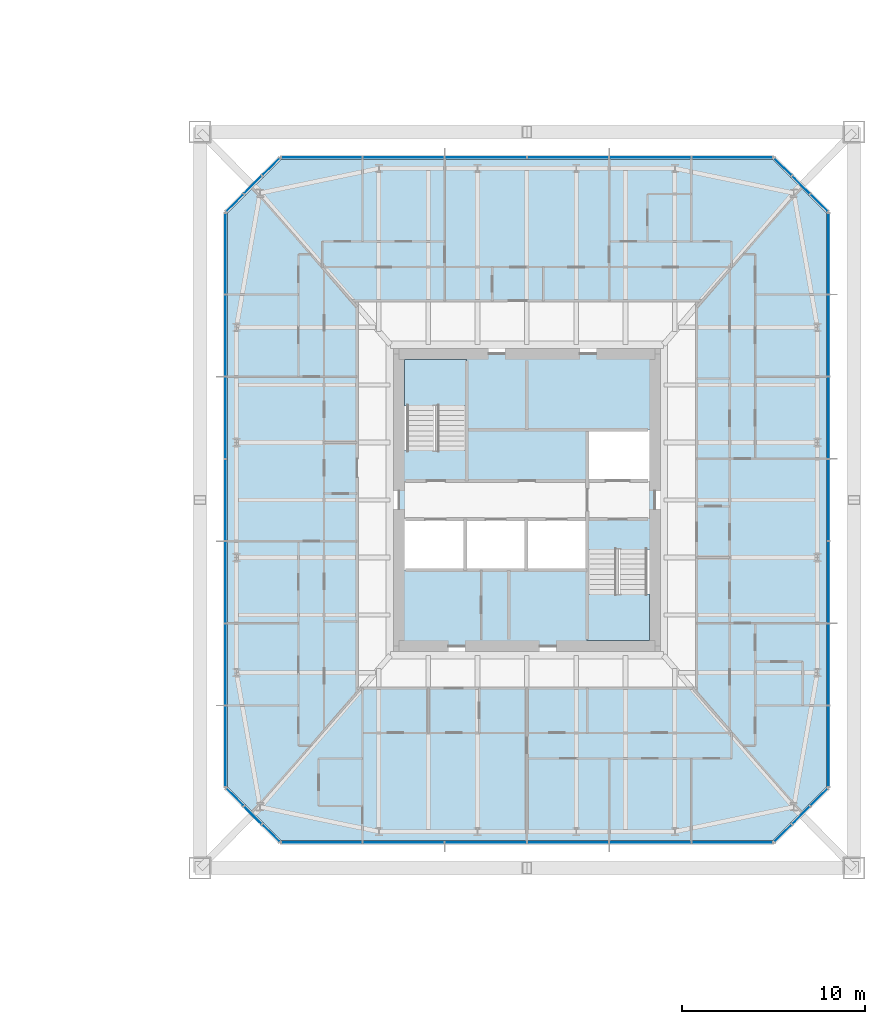
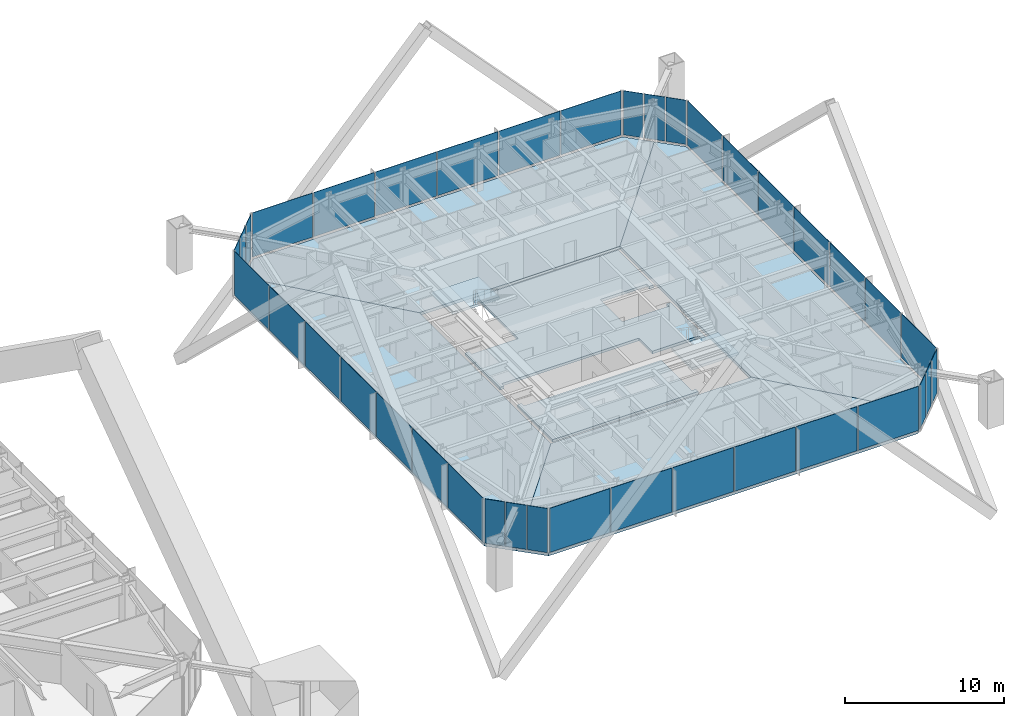
# One storey, part 15 of 28: 38 plates, 8 slabs, 10 elements without a shape of their own.
"""IFC4 building model written with IfcOpenShell, lengths in metres."""

from ifc_helpers import new_model, si_unit, direction, frame, origin, origin_2d, place, context, subcontext, project, spatial, polyline, rectangle, outline, extrude, material, layer, layer_set, constituent, constituent_set, type_object, element, aggregate, save


model = new_model("IFC4")

# Units and contexts
model_context = context("Model", 3, precision=1e-05, world=origin(), true_north=direction((0.0, 1.0)))
body_context = subcontext(model_context, "Body", "Model", "MODEL_VIEW")
ifc_project = project(units=[si_unit("LENGTHUNIT", "METRE"), si_unit("AREAUNIT", "SQUARE_METRE"), si_unit("VOLUMEUNIT", "CUBIC_METRE"), si_unit("PLANEANGLEUNIT", "RADIAN"), si_unit("MASSUNIT", "GRAM", prefix="KILO")], contexts=[model_context])

# Site, building, storey
site_placement = place(None, origin())
site = spatial("IfcSite", under=ifc_project, at=site_placement, CompositionType="ELEMENT")
building_placement = place(site_placement, origin())
building = spatial("IfcBuilding", under=site, at=building_placement, Name="Iwan Alto Co-Living Towers", CompositionType="ELEMENT")
storey_placement = place(building_placement, frame((0.0, 0.0, 43.0)))
storey = spatial("IfcBuildingStorey", under=building, at=storey_placement, Name="L11", CompositionType="ELEMENT", Elevation=43.0)

# Slabs
ifc_material_1 = material(Name="Concrete f'c 30 MPa", Category="concrete")
ifc_layer_1 = layer(ifc_material_1, 0.199951171875)
ifc_layer_set_1 = layer_set([ifc_layer_1], Name="CORE FLOOR SLAB 200")
slab_type_1 = type_object("IfcSlabType", Name="CORE FLOOR SLAB 200", PredefinedType="FLOOR", material=ifc_layer_set_1)
slab_1_placement = place(storey_placement, frame((0.0, 0.0, -0.199951171875)))
element("IfcSlab", 1, at=slab_1_placement, inside=storey, type_object=slab_type_1, Name="T2 core floor L11", PredefinedType="FLOOR", context=body_context, shape_type="SweptSolid", body=[
    extrude(outline(polyline([(70.0, -3.030029296875), (69.699951171875, -3.030029296875), (69.699951171875, -2.719970703125), (66.300048828125, -2.719970703125), (66.300048828125, -1.050048828125), (62.967041015625, -1.050048828125), (59.633056640625, -1.050048828125), (56.300048828125, -1.050048828125), (56.300048828125, -1.360107421875), (56.0, -1.360107421875), (56.0, 3.030029296875), (56.300048828125, 3.030029296875), (56.300048828125, 2.719970703125), (59.699951171875, 2.719970703125), (59.699951171875, 7.699951171875), (59.389892578125, 7.699951171875), (59.389892578125, 8.0), (70.0, 8.0), (70.0, 3.5400390625), (69.699951171875, 3.5400390625), (69.699951171875, 3.85009765625), (66.300048828125, 3.85009765625), (66.300048828125, 1.050048828125), (69.699951171875, 1.050048828125), (69.699951171875, 1.360107421875), (70.0, 1.360107421875), (70.0, -3.030029296875)])), origin(), (0.0, 0.0, 1.0), 0.199951171875),
])
slab_2_placement = place(storey_placement, frame((0.0, 0.0, -0.199951171875)))
element("IfcSlab", 2, at=slab_2_placement, inside=storey, type_object=slab_type_1, Name="T2 core floor L11", PredefinedType="FLOOR", context=body_context, shape_type="SweptSolid", body=[
    extrude(outline(polyline([(62.967041015625, -3.85009765625), (66.300048828125, -3.85009765625), (66.300048828125, -7.699951171875), (66.610107421875, -7.699951171875), (66.610107421875, -8.0), (56.0, -8.0), (56.0, -3.5400390625), (56.300048828125, -3.5400390625), (56.300048828125, -3.85009765625), (59.633056640625, -3.85009765625), (62.967041015625, -3.85009765625)])), origin(), (0.0, 0.0, 1.0), 0.199951171875),
])

# Curtain wall, plates
ifc_material_2 = material(Name="Bronze aluminium unitised frame", Category="aluminium")
curtain_wall_type_1 = type_object("IfcCurtainWallType", Name="CURTAIN WALL CW-C", PredefinedType="NOTDEFINED", material=ifc_material_2)
curtain_wall_1_placement = place(storey_placement, origin())
curtain_wall_1 = element("IfcCurtainWall", 3, at=curtain_wall_1_placement, inside=storey, type_object=curtain_wall_type_1, Name="T2 curtain wall S L11", PredefinedType="NOTDEFINED")
ifc_material_3 = material(Name="Bronze-tinted insulating glass", Category="glass")
ifc_layer_2 = layer(ifc_material_3, 0.031982421875)
ifc_layer_set_2 = layer_set([ifc_layer_2], Name="CW-C PANEL TINTED IGU 32")
plate_type_1 = type_object("IfcPlateType", Name="CW-C PANEL TINTED IGU 32", PredefinedType="CURTAIN_PANEL", material=ifc_layer_set_2)
plate_1_placement = place(storey_placement, frame((60.75, -18.75, 0.10009765625), z_axis=(0.0, 0.0, 1.0), x_axis=(1.0, 0.0, 0.0)))
plate_1 = element("IfcPlate", 4, at=plate_1_placement, type_object=plate_type_1, Name="CW-C panel 3.1", PredefinedType="CURTAIN_PANEL", context=body_context, shape_type="SweptSolid", body=[
    extrude(rectangle(XDim=4.419921875, YDim=0.031982421875, at=origin_2d()), origin(), (0.0, 0.0, 1.0), 3.39990234375),
])
plate_2_placement = place(storey_placement, frame((65.25, -18.75, 0.10009765625), z_axis=(0.0, 0.0, 1.0), x_axis=(1.0, 0.0, 0.0)))
plate_2 = element("IfcPlate", 5, at=plate_2_placement, type_object=plate_type_1, Name="CW-C panel 4.1", PredefinedType="CURTAIN_PANEL", context=body_context, shape_type="SweptSolid", body=[
    extrude(rectangle(XDim=4.419921875, YDim=0.031982421875, at=origin_2d()), origin(), (0.0, 0.0, 1.0), 3.39990234375),
])

curtain_wall_2_placement = place(storey_placement, origin())
curtain_wall_2 = element("IfcCurtainWall", 6, at=curtain_wall_2_placement, inside=storey, type_object=curtain_wall_type_1, Name="T2 curtain wall E L11", PredefinedType="NOTDEFINED")
plate_3_placement = place(storey_placement, frame((79.5, -4.5, 0.10009765625), z_axis=(0.0, 0.0, 1.0), x_axis=(0.0, 1.0, 0.0)))
plate_3 = element("IfcPlate", 7, at=plate_3_placement, type_object=plate_type_1, Name="CW-C panel 3.1", PredefinedType="CURTAIN_PANEL", context=body_context, shape_type="SweptSolid", body=[
    extrude(rectangle(XDim=4.419921875, YDim=0.031982421875, at=origin_2d()), origin(), (0.0, 0.0, 1.0), 3.39990234375),
])
plate_4_placement = place(storey_placement, frame((79.5, 0.0, 0.10009765625), z_axis=(0.0, 0.0, 1.0), x_axis=(0.0, 1.0, 0.0)))
plate_4 = element("IfcPlate", 8, at=plate_4_placement, type_object=plate_type_1, Name="CW-C panel 4.1", PredefinedType="CURTAIN_PANEL", context=body_context, shape_type="SweptSolid", body=[
    extrude(rectangle(XDim=4.419921875, YDim=0.031982421875, at=origin_2d()), origin(), (0.0, 0.0, 1.0), 3.39990234375),
])
plate_5_placement = place(storey_placement, frame((79.5, 4.5, 0.10009765625), z_axis=(0.0, 0.0, 1.0), x_axis=(0.0, 1.0, 0.0)))
plate_5 = element("IfcPlate", 9, at=plate_5_placement, type_object=plate_type_1, Name="CW-C panel 5.1", PredefinedType="CURTAIN_PANEL", context=body_context, shape_type="SweptSolid", body=[
    extrude(rectangle(XDim=4.419921875, YDim=0.031982421875, at=origin_2d()), origin(), (0.0, 0.0, 1.0), 3.39990234375),
])

curtain_wall_3_placement = place(storey_placement, origin())
curtain_wall_3 = element("IfcCurtainWall", 10, at=curtain_wall_3_placement, inside=storey, type_object=curtain_wall_type_1, Name="T2 curtain wall N L11", PredefinedType="NOTDEFINED")
plate_6_placement = place(storey_placement, frame((65.25, 18.75, 0.10009765625), z_axis=(0.0, 0.0, 1.0), x_axis=(-1.0, 0.0, 0.0)))
plate_6 = element("IfcPlate", 11, at=plate_6_placement, type_object=plate_type_1, Name="CW-C panel 3.1", PredefinedType="CURTAIN_PANEL", context=body_context, shape_type="SweptSolid", body=[
    extrude(rectangle(XDim=4.419921875, YDim=0.031982421875, at=origin_2d()), origin(), (0.0, 0.0, 1.0), 3.39990234375),
])
plate_7_placement = place(storey_placement, frame((60.75, 18.75, 0.10009765625), z_axis=(0.0, 0.0, 1.0), x_axis=(-1.0, 0.0, 0.0)))
plate_7 = element("IfcPlate", 12, at=plate_7_placement, type_object=plate_type_1, Name="CW-C panel 4.1", PredefinedType="CURTAIN_PANEL", context=body_context, shape_type="SweptSolid", body=[
    extrude(rectangle(XDim=4.419921875, YDim=0.031982421875, at=origin_2d()), origin(), (0.0, 0.0, 1.0), 3.39990234375),
])

curtain_wall_4_placement = place(storey_placement, origin())
curtain_wall_4 = element("IfcCurtainWall", 13, at=curtain_wall_4_placement, inside=storey, type_object=curtain_wall_type_1, Name="T2 curtain wall W L11", PredefinedType="NOTDEFINED")
plate_8_placement = place(storey_placement, frame((46.5, 4.5, 0.10009765625), z_axis=(0.0, 0.0, 1.0), x_axis=(0.0, -1.0, 0.0)))
plate_8 = element("IfcPlate", 14, at=plate_8_placement, type_object=plate_type_1, Name="CW-C panel 3.1", PredefinedType="CURTAIN_PANEL", context=body_context, shape_type="SweptSolid", body=[
    extrude(rectangle(XDim=4.419921875, YDim=0.031982421875, at=origin_2d()), origin(), (0.0, 0.0, 1.0), 3.39990234375),
])
plate_9_placement = place(storey_placement, frame((46.5, 0.0, 0.10009765625), z_axis=(0.0, 0.0, 1.0), x_axis=(0.0, -1.0, 0.0)))
plate_9 = element("IfcPlate", 15, at=plate_9_placement, type_object=plate_type_1, Name="CW-C panel 4.1", PredefinedType="CURTAIN_PANEL", context=body_context, shape_type="SweptSolid", body=[
    extrude(rectangle(XDim=4.419921875, YDim=0.031982421875, at=origin_2d()), origin(), (0.0, 0.0, 1.0), 3.39990234375),
])
plate_10_placement = place(storey_placement, frame((46.5, -4.5, 0.10009765625), z_axis=(0.0, 0.0, 1.0), x_axis=(0.0, -1.0, 0.0)))
plate_10 = element("IfcPlate", 16, at=plate_10_placement, type_object=plate_type_1, Name="CW-C panel 5.1", PredefinedType="CURTAIN_PANEL", context=body_context, shape_type="SweptSolid", body=[
    extrude(rectangle(XDim=4.419921875, YDim=0.031982421875, at=origin_2d()), origin(), (0.0, 0.0, 1.0), 3.39990234375),
])

# Plate
ifc_material_4 = material(Name="Insulated bronze aluminium spandrel panel", Category="aluminium")
ifc_layer_3 = layer(ifc_material_4, 0.031982421875)
ifc_layer_set_3 = layer_set([ifc_layer_3], Name="CW-C SPANDREL PANEL 32")
plate_type_2 = type_object("IfcPlateType", Name="CW-C SPANDREL PANEL 32", PredefinedType="CURTAIN_PANEL", material=ifc_layer_set_3)
plate_11_placement = place(storey_placement, frame((51.77001953125, -18.75, 0.10009765625), z_axis=(0.0, 0.0, 1.0), x_axis=(1.0, 0.0, 0.0)))
plate_11 = element("IfcPlate", 17, at=plate_11_placement, type_object=plate_type_2, Name="CW-C spandrel panel 1.1 (braced bay)", PredefinedType="CURTAIN_PANEL", context=body_context, shape_type="SweptSolid", body=[
    extrude(rectangle(XDim=4.3798828125, YDim=0.031982421875, at=origin_2d()), origin(), (0.0, 0.0, 1.0), 3.39990234375),
])

plate_12_placement = place(storey_placement, frame((56.25, -18.75, 0.10009765625), z_axis=(0.0, 0.0, 1.0), x_axis=(1.0, 0.0, 0.0)))
plate_12 = element("IfcPlate", 18, at=plate_12_placement, type_object=plate_type_2, Name="CW-C spandrel panel 2.1 (braced bay)", PredefinedType="CURTAIN_PANEL", context=body_context, shape_type="SweptSolid", body=[
    extrude(rectangle(XDim=4.419921875, YDim=0.031982421875, at=origin_2d()), origin(), (0.0, 0.0, 1.0), 3.39990234375),
])

plate_13_placement = place(storey_placement, frame((69.75, -18.75, 0.10009765625), z_axis=(0.0, 0.0, 1.0), x_axis=(1.0, 0.0, 0.0)))
plate_13 = element("IfcPlate", 19, at=plate_13_placement, type_object=plate_type_2, Name="CW-C spandrel panel 5.1 (braced bay)", PredefinedType="CURTAIN_PANEL", context=body_context, shape_type="SweptSolid", body=[
    extrude(rectangle(XDim=4.419921875, YDim=0.031982421875, at=origin_2d()), origin(), (0.0, 0.0, 1.0), 3.39990234375),
])

plate_14_placement = place(storey_placement, frame((74.22998046875, -18.75, 0.10009765625), z_axis=(0.0, 0.0, 1.0), x_axis=(1.0, 0.0, 0.0)))
plate_14 = element("IfcPlate", 20, at=plate_14_placement, type_object=plate_type_2, Name="CW-C spandrel panel 6.1 (braced bay)", PredefinedType="CURTAIN_PANEL", context=body_context, shape_type="SweptSolid", body=[
    extrude(rectangle(XDim=4.3798828125, YDim=0.031982421875, at=origin_2d()), origin(), (0.0, 0.0, 1.0), 3.39990234375),
])

aggregate(curtain_wall_1, [plate_1, plate_2, plate_11, plate_12, plate_13, plate_14])

plate_15_placement = place(storey_placement, frame((79.5, -13.47998046875, 0.10009765625), z_axis=(0.0, 0.0, 1.0), x_axis=(0.0, 1.0, 0.0)))
plate_15 = element("IfcPlate", 21, at=plate_15_placement, type_object=plate_type_2, Name="CW-C spandrel panel 1.1 (braced bay)", PredefinedType="CURTAIN_PANEL", context=body_context, shape_type="SweptSolid", body=[
    extrude(rectangle(XDim=4.3798828125, YDim=0.031982421875, at=origin_2d()), origin(), (0.0, 0.0, 1.0), 3.39990234375),
])

plate_16_placement = place(storey_placement, frame((79.5, -9.0, 0.10009765625), z_axis=(0.0, 0.0, 1.0), x_axis=(0.0, 1.0, 0.0)))
plate_16 = element("IfcPlate", 22, at=plate_16_placement, type_object=plate_type_2, Name="CW-C spandrel panel 2.1 (braced bay)", PredefinedType="CURTAIN_PANEL", context=body_context, shape_type="SweptSolid", body=[
    extrude(rectangle(XDim=4.419921875, YDim=0.031982421875, at=origin_2d()), origin(), (0.0, 0.0, 1.0), 3.39990234375),
])

plate_17_placement = place(storey_placement, frame((79.5, 9.0, 0.10009765625), z_axis=(0.0, 0.0, 1.0), x_axis=(0.0, 1.0, 0.0)))
plate_17 = element("IfcPlate", 23, at=plate_17_placement, type_object=plate_type_2, Name="CW-C spandrel panel 6.1 (braced bay)", PredefinedType="CURTAIN_PANEL", context=body_context, shape_type="SweptSolid", body=[
    extrude(rectangle(XDim=4.419921875, YDim=0.031982421875, at=origin_2d()), origin(), (0.0, 0.0, 1.0), 3.39990234375),
])

plate_18_placement = place(storey_placement, frame((79.5, 13.47998046875, 0.10009765625), z_axis=(0.0, 0.0, 1.0), x_axis=(0.0, 1.0, 0.0)))
plate_18 = element("IfcPlate", 24, at=plate_18_placement, type_object=plate_type_2, Name="CW-C spandrel panel 7.1 (braced bay)", PredefinedType="CURTAIN_PANEL", context=body_context, shape_type="SweptSolid", body=[
    extrude(rectangle(XDim=4.3798828125, YDim=0.031982421875, at=origin_2d()), origin(), (0.0, 0.0, 1.0), 3.39990234375),
])

aggregate(curtain_wall_2, [plate_3, plate_4, plate_5, plate_15, plate_16, plate_17, plate_18])

plate_19_placement = place(storey_placement, frame((74.22998046875, 18.75, 0.10009765625), z_axis=(0.0, 0.0, 1.0), x_axis=(-1.0, 0.0, 0.0)))
plate_19 = element("IfcPlate", 25, at=plate_19_placement, type_object=plate_type_2, Name="CW-C spandrel panel 1.1 (braced bay)", PredefinedType="CURTAIN_PANEL", context=body_context, shape_type="SweptSolid", body=[
    extrude(rectangle(XDim=4.3798828125, YDim=0.031982421875, at=origin_2d()), origin(), (0.0, 0.0, 1.0), 3.39990234375),
])

plate_20_placement = place(storey_placement, frame((69.75, 18.75, 0.10009765625), z_axis=(0.0, 0.0, 1.0), x_axis=(-1.0, 0.0, 0.0)))
plate_20 = element("IfcPlate", 26, at=plate_20_placement, type_object=plate_type_2, Name="CW-C spandrel panel 2.1 (braced bay)", PredefinedType="CURTAIN_PANEL", context=body_context, shape_type="SweptSolid", body=[
    extrude(rectangle(XDim=4.419921875, YDim=0.031982421875, at=origin_2d()), origin(), (0.0, 0.0, 1.0), 3.39990234375),
])

plate_21_placement = place(storey_placement, frame((56.25, 18.75, 0.10009765625), z_axis=(0.0, 0.0, 1.0), x_axis=(-1.0, 0.0, 0.0)))
plate_21 = element("IfcPlate", 27, at=plate_21_placement, type_object=plate_type_2, Name="CW-C spandrel panel 5.1 (braced bay)", PredefinedType="CURTAIN_PANEL", context=body_context, shape_type="SweptSolid", body=[
    extrude(rectangle(XDim=4.419921875, YDim=0.031982421875, at=origin_2d()), origin(), (0.0, 0.0, 1.0), 3.39990234375),
])

plate_22_placement = place(storey_placement, frame((51.77001953125, 18.75, 0.10009765625), z_axis=(0.0, 0.0, 1.0), x_axis=(-1.0, 0.0, 0.0)))
plate_22 = element("IfcPlate", 28, at=plate_22_placement, type_object=plate_type_2, Name="CW-C spandrel panel 6.1 (braced bay)", PredefinedType="CURTAIN_PANEL", context=body_context, shape_type="SweptSolid", body=[
    extrude(rectangle(XDim=4.3798828125, YDim=0.031982421875, at=origin_2d()), origin(), (0.0, 0.0, 1.0), 3.39990234375),
])

aggregate(curtain_wall_3, [plate_6, plate_7, plate_19, plate_20, plate_21, plate_22])

plate_23_placement = place(storey_placement, frame((46.5, 13.47998046875, 0.10009765625), z_axis=(0.0, 0.0, 1.0), x_axis=(0.0, -1.0, 0.0)))
plate_23 = element("IfcPlate", 29, at=plate_23_placement, type_object=plate_type_2, Name="CW-C spandrel panel 1.1 (braced bay)", PredefinedType="CURTAIN_PANEL", context=body_context, shape_type="SweptSolid", body=[
    extrude(rectangle(XDim=4.3798828125, YDim=0.031982421875, at=origin_2d()), origin(), (0.0, 0.0, 1.0), 3.39990234375),
])

plate_24_placement = place(storey_placement, frame((46.5, 9.0, 0.10009765625), z_axis=(0.0, 0.0, 1.0), x_axis=(0.0, -1.0, 0.0)))
plate_24 = element("IfcPlate", 30, at=plate_24_placement, type_object=plate_type_2, Name="CW-C spandrel panel 2.1 (braced bay)", PredefinedType="CURTAIN_PANEL", context=body_context, shape_type="SweptSolid", body=[
    extrude(rectangle(XDim=4.419921875, YDim=0.031982421875, at=origin_2d()), origin(), (0.0, 0.0, 1.0), 3.39990234375),
])

plate_25_placement = place(storey_placement, frame((46.5, -9.0, 0.10009765625), z_axis=(0.0, 0.0, 1.0), x_axis=(0.0, -1.0, 0.0)))
plate_25 = element("IfcPlate", 31, at=plate_25_placement, type_object=plate_type_2, Name="CW-C spandrel panel 6.1 (braced bay)", PredefinedType="CURTAIN_PANEL", context=body_context, shape_type="SweptSolid", body=[
    extrude(rectangle(XDim=4.419921875, YDim=0.031982421875, at=origin_2d()), origin(), (0.0, 0.0, 1.0), 3.39990234375),
])

plate_26_placement = place(storey_placement, frame((46.5, -13.47998046875, 0.10009765625), z_axis=(0.0, 0.0, 1.0), x_axis=(0.0, -1.0, 0.0)))
plate_26 = element("IfcPlate", 32, at=plate_26_placement, type_object=plate_type_2, Name="CW-C spandrel panel 7.1 (braced bay)", PredefinedType="CURTAIN_PANEL", context=body_context, shape_type="SweptSolid", body=[
    extrude(rectangle(XDim=4.3798828125, YDim=0.031982421875, at=origin_2d()), origin(), (0.0, 0.0, 1.0), 3.39990234375),
])

aggregate(curtain_wall_4, [plate_8, plate_9, plate_10, plate_23, plate_24, plate_25, plate_26])

# Curtain wall, plates
ifc_material_5 = material(Name="Bronze aluminium unitised frame", Category="aluminium")
curtain_wall_type_2 = type_object("IfcCurtainWallType", Name="CURTAIN WALL CW-D", PredefinedType="NOTDEFINED", material=ifc_material_5)
curtain_wall_5_placement = place(storey_placement, origin())
curtain_wall_5 = element("IfcCurtainWall", 33, at=curtain_wall_5_placement, inside=storey, type_object=curtain_wall_type_2, Name="T2 chamfer curtain wall SE L11", PredefinedType="NOTDEFINED")
ifc_material_6 = material(Name="Bronze-tinted insulating glass", Category="glass")
ifc_layer_4 = layer(ifc_material_6, 0.031982421875)
ifc_layer_set_4 = layer_set([ifc_layer_4], Name="CW-D PANEL TINTED IGU 32")
plate_type_3 = type_object("IfcPlateType", Name="CW-D PANEL TINTED IGU 32", PredefinedType="CURTAIN_PANEL", material=ifc_layer_set_4)
plate_27_placement = place(storey_placement, frame((77.01416015625, -18.23583984375, 0.10009765625), z_axis=(0.0, 0.0, 1.0), x_axis=(0.707106781187, 0.707106781187, 0.0)))
plate_27 = element("IfcPlate", 34, at=plate_27_placement, type_object=plate_type_3, Name="CW-D panel 1.1", PredefinedType="CURTAIN_PANEL", context=body_context, shape_type="SweptSolid", body=[
    extrude(rectangle(XDim=1.294189453125, YDim=0.031982421875, at=origin_2d()), origin(), (0.0, 0.0, 1.0), 3.39990234375),
])
plate_28_placement = place(storey_placement, frame((78.0, -17.25, 0.10009765625), z_axis=(0.0, 0.0, 1.0), x_axis=(0.707106781187, 0.707106781187, 0.0)))
plate_28 = element("IfcPlate", 35, at=plate_28_placement, type_object=plate_type_3, Name="CW-D panel 2.1", PredefinedType="CURTAIN_PANEL", context=body_context, shape_type="SweptSolid", body=[
    extrude(rectangle(XDim=1.334228515625, YDim=0.031982421875, at=origin_2d()), origin(), (0.0, 0.0, 1.0), 3.39990234375),
])
plate_29_placement = place(storey_placement, frame((78.98583984375, -16.26416015625, 0.10009765625), z_axis=(0.0, 0.0, 1.0), x_axis=(0.707106781187, 0.707106781187, 0.0)))
plate_29 = element("IfcPlate", 36, at=plate_29_placement, type_object=plate_type_3, Name="CW-D panel 3.1", PredefinedType="CURTAIN_PANEL", context=body_context, shape_type="SweptSolid", body=[
    extrude(rectangle(XDim=1.294189453125, YDim=0.031982421875, at=origin_2d()), origin(), (0.0, 0.0, 1.0), 3.39990234375),
])
aggregate(curtain_wall_5, [plate_27, plate_28, plate_29])

curtain_wall_6_placement = place(storey_placement, origin())
curtain_wall_6 = element("IfcCurtainWall", 37, at=curtain_wall_6_placement, inside=storey, type_object=curtain_wall_type_2, Name="T2 chamfer curtain wall NE L11", PredefinedType="NOTDEFINED")
plate_30_placement = place(storey_placement, frame((78.98583984375, 16.26416015625, 0.10009765625), z_axis=(0.0, 0.0, 1.0), x_axis=(-0.707106781187, 0.707106781187, 0.0)))
plate_30 = element("IfcPlate", 38, at=plate_30_placement, type_object=plate_type_3, Name="CW-D panel 1.1", PredefinedType="CURTAIN_PANEL", context=body_context, shape_type="SweptSolid", body=[
    extrude(rectangle(XDim=1.294189453125, YDim=0.031982421875, at=origin_2d()), origin(), (0.0, 0.0, 1.0), 3.39990234375),
])
plate_31_placement = place(storey_placement, frame((78.0, 17.25, 0.10009765625), z_axis=(0.0, 0.0, 1.0), x_axis=(-0.707106781187, 0.707106781187, 0.0)))
plate_31 = element("IfcPlate", 39, at=plate_31_placement, type_object=plate_type_3, Name="CW-D panel 2.1", PredefinedType="CURTAIN_PANEL", context=body_context, shape_type="SweptSolid", body=[
    extrude(rectangle(XDim=1.334228515625, YDim=0.031982421875, at=origin_2d()), origin(), (0.0, 0.0, 1.0), 3.39990234375),
])
plate_32_placement = place(storey_placement, frame((77.01416015625, 18.23583984375, 0.10009765625), z_axis=(0.0, 0.0, 1.0), x_axis=(-0.707106781187, 0.707106781187, 0.0)))
plate_32 = element("IfcPlate", 40, at=plate_32_placement, type_object=plate_type_3, Name="CW-D panel 3.1", PredefinedType="CURTAIN_PANEL", context=body_context, shape_type="SweptSolid", body=[
    extrude(rectangle(XDim=1.294189453125, YDim=0.031982421875, at=origin_2d()), origin(), (0.0, 0.0, 1.0), 3.39990234375),
])
aggregate(curtain_wall_6, [plate_30, plate_31, plate_32])

curtain_wall_7_placement = place(storey_placement, origin())
curtain_wall_7 = element("IfcCurtainWall", 41, at=curtain_wall_7_placement, inside=storey, type_object=curtain_wall_type_2, Name="T2 chamfer curtain wall NW L11", PredefinedType="NOTDEFINED")
plate_33_placement = place(storey_placement, frame((48.98583984375, 18.23583984375, 0.10009765625), z_axis=(0.0, 0.0, 1.0), x_axis=(-0.707106781187, -0.707106781187, 0.0)))
plate_33 = element("IfcPlate", 42, at=plate_33_placement, type_object=plate_type_3, Name="CW-D panel 1.1", PredefinedType="CURTAIN_PANEL", context=body_context, shape_type="SweptSolid", body=[
    extrude(rectangle(XDim=1.294189453125, YDim=0.031982421875, at=origin_2d()), origin(), (0.0, 0.0, 1.0), 3.39990234375),
])
plate_34_placement = place(storey_placement, frame((48.0, 17.25, 0.10009765625), z_axis=(0.0, 0.0, 1.0), x_axis=(-0.707106781187, -0.707106781187, 0.0)))
plate_34 = element("IfcPlate", 43, at=plate_34_placement, type_object=plate_type_3, Name="CW-D panel 2.1", PredefinedType="CURTAIN_PANEL", context=body_context, shape_type="SweptSolid", body=[
    extrude(rectangle(XDim=1.334228515625, YDim=0.031982421875, at=origin_2d()), origin(), (0.0, 0.0, 1.0), 3.39990234375),
])
plate_35_placement = place(storey_placement, frame((47.01416015625, 16.26416015625, 0.10009765625), z_axis=(0.0, 0.0, 1.0), x_axis=(-0.707106781187, -0.707106781187, 0.0)))
plate_35 = element("IfcPlate", 44, at=plate_35_placement, type_object=plate_type_3, Name="CW-D panel 3.1", PredefinedType="CURTAIN_PANEL", context=body_context, shape_type="SweptSolid", body=[
    extrude(rectangle(XDim=1.294189453125, YDim=0.031982421875, at=origin_2d()), origin(), (0.0, 0.0, 1.0), 3.39990234375),
])
aggregate(curtain_wall_7, [plate_33, plate_34, plate_35])

curtain_wall_8_placement = place(storey_placement, origin())
curtain_wall_8 = element("IfcCurtainWall", 45, at=curtain_wall_8_placement, inside=storey, type_object=curtain_wall_type_2, Name="T2 chamfer curtain wall SW L11", PredefinedType="NOTDEFINED")
plate_36_placement = place(storey_placement, frame((47.01416015625, -16.26416015625, 0.10009765625), z_axis=(0.0, 0.0, 1.0), x_axis=(0.707106781187, -0.707106781187, 0.0)))
plate_36 = element("IfcPlate", 46, at=plate_36_placement, type_object=plate_type_3, Name="CW-D panel 1.1", PredefinedType="CURTAIN_PANEL", context=body_context, shape_type="SweptSolid", body=[
    extrude(rectangle(XDim=1.294189453125, YDim=0.031982421875, at=origin_2d()), origin(), (0.0, 0.0, 1.0), 3.39990234375),
])
plate_37_placement = place(storey_placement, frame((48.0, -17.25, 0.10009765625), z_axis=(0.0, 0.0, 1.0), x_axis=(0.707106781187, -0.707106781187, 0.0)))
plate_37 = element("IfcPlate", 47, at=plate_37_placement, type_object=plate_type_3, Name="CW-D panel 2.1", PredefinedType="CURTAIN_PANEL", context=body_context, shape_type="SweptSolid", body=[
    extrude(rectangle(XDim=1.334228515625, YDim=0.031982421875, at=origin_2d()), origin(), (0.0, 0.0, 1.0), 3.39990234375),
])
plate_38_placement = place(storey_placement, frame((48.98583984375, -18.23583984375, 0.10009765625), z_axis=(0.0, 0.0, 1.0), x_axis=(0.707106781187, -0.707106781187, 0.0)))
plate_38 = element("IfcPlate", 48, at=plate_38_placement, type_object=plate_type_3, Name="CW-D panel 3.1", PredefinedType="CURTAIN_PANEL", context=body_context, shape_type="SweptSolid", body=[
    extrude(rectangle(XDim=1.294189453125, YDim=0.031982421875, at=origin_2d()), origin(), (0.0, 0.0, 1.0), 3.39990234375),
])
aggregate(curtain_wall_8, [plate_36, plate_37, plate_38])

# Stair, slab
ifc_material_7 = material(Name="Steel ASTM A36", Category="steel")
ifc_constituent_1 = constituent(ifc_material_7, Name="Stringers", Category="LoadBearing")
ifc_material_8 = material(Name="Concrete f'c 30 MPa", Category="concrete")
ifc_constituent_2 = constituent(ifc_material_8, Name="Tread fill", Category="Finish")
ifc_constituent_set = constituent_set(constituents=[ifc_constituent_1, ifc_constituent_2], Name="STAIR 3500 TWO-FLIGHT T2 CORE")
stair_type = type_object("IfcStairType", Name="STAIR 3500 TWO-FLIGHT T2 CORE", PredefinedType="HALF_TURN_STAIR", material=ifc_constituent_set)
stair_1_placement = place(storey_placement, origin())
stair_1 = element("IfcStair", 49, at=stair_1_placement, inside=storey, type_object=stair_type, Name="Stair T2-S1 L11 to L12", PredefinedType="HALF_TURN_STAIR")
ifc_material_9 = material(Name="Concrete f'c 30 MPa", Category="concrete")
ifc_layer_5 = layer(ifc_material_9, 0.199951171875)
ifc_layer_set_5 = layer_set([ifc_layer_5], Name="STAIR LANDING 200")
slab_type_2 = type_object("IfcSlabType", Name="STAIR LANDING 200", PredefinedType="LANDING", material=ifc_layer_set_5)
slab_3_placement = place(storey_placement, frame((0.0, 0.0, 1.550048828125)))
slab_3 = element("IfcSlab", 50, at=slab_3_placement, type_object=slab_type_2, Name="T2-S1 landing 1", PredefinedType="LANDING", context=body_context, shape_type="SweptSolid", body=[
    extrude(outline(polyline([(56.300048828125, 5.139892578125), (56.300048828125, 7.699951171875), (59.699951171875, 7.699951171875), (59.699951171875, 5.139892578125), (56.300048828125, 5.139892578125)])), origin(), (0.0, 0.0, 1.0), 0.199951171875),
])
aggregate(stair_1, [slab_3])

stair_2_placement = place(storey_placement, origin())
stair_2 = element("IfcStair", 51, at=stair_2_placement, inside=storey, type_object=stair_type, Name="Stair T2-S2 L11 to L12", PredefinedType="HALF_TURN_STAIR")
slab_4_placement = place(storey_placement, frame((0.0, 0.0, 1.550048828125)))
slab_4 = element("IfcSlab", 52, at=slab_4_placement, type_object=slab_type_2, Name="T2-S2 landing 1", PredefinedType="LANDING", context=body_context, shape_type="SweptSolid", body=[
    extrude(outline(polyline([(66.300048828125, -5.139892578125), (66.300048828125, -7.699951171875), (69.699951171875, -7.699951171875), (69.699951171875, -5.139892578125), (66.300048828125, -5.139892578125)])), origin(), (0.0, 0.0, 1.0), 0.199951171875),
])
aggregate(stair_2, [slab_4])

# Slabs
ifc_material_10 = material(Name="Concrete f'c 30 MPa", Category="concrete")
ifc_layer_6 = layer(ifc_material_10, 0.22998046875)
ifc_layer_set_6 = layer_set([ifc_layer_6], Name="T2 FLOOR SLAB 230")
slab_type_3 = type_object("IfcSlabType", Name="T2 FLOOR SLAB 230", PredefinedType="FLOOR", material=ifc_layer_set_6)
slab_5_placement = place(storey_placement, frame((0.0, 0.0, -0.22998046875)))
element("IfcSlab", 53, at=slab_5_placement, inside=storey, type_object=slab_type_3, Name="T2 floor slab L11 S pour", PredefinedType="FLOOR", context=body_context, shape_type="SweptSolid", body=[
    extrude(outline(polyline([(76.44140625, -18.64990234375), (49.55859375, -18.64990234375), (48.07568359375, -17.1669921875), (55.699951171875, -8.300048828125), (70.300048828125, -8.300048828125), (77.92431640625, -17.1669921875), (76.44140625, -18.64990234375)])), origin(), (0.0, 0.0, 1.0), 0.22998046875),
])
slab_6_placement = place(storey_placement, frame((0.0, 0.0, -0.22998046875)))
element("IfcSlab", 54, at=slab_6_placement, inside=storey, type_object=slab_type_3, Name="T2 floor slab L11 E pour", PredefinedType="FLOOR", context=body_context, shape_type="SweptSolid", body=[
    extrude(outline(polyline([(79.39990234375, 15.69140625), (79.39990234375, -15.69140625), (77.92431640625, -17.1669921875), (70.300048828125, -8.300048828125), (70.300048828125, 8.300048828125), (77.92431640625, 17.1669921875), (79.39990234375, 15.69140625)])), origin(), (0.0, 0.0, 1.0), 0.22998046875),
])
slab_7_placement = place(storey_placement, frame((0.0, 0.0, -0.22998046875)))
element("IfcSlab", 55, at=slab_7_placement, inside=storey, type_object=slab_type_3, Name="T2 floor slab L11 N pour", PredefinedType="FLOOR", context=body_context, shape_type="SweptSolid", body=[
    extrude(outline(polyline([(49.55859375, 18.64990234375), (76.44140625, 18.64990234375), (77.92431640625, 17.1669921875), (70.300048828125, 8.300048828125), (55.699951171875, 8.300048828125), (48.07568359375, 17.1669921875), (49.55859375, 18.64990234375)])), origin(), (0.0, 0.0, 1.0), 0.22998046875),
])
slab_8_placement = place(storey_placement, frame((0.0, 0.0, -0.22998046875)))
element("IfcSlab", 56, at=slab_8_placement, inside=storey, type_object=slab_type_3, Name="T2 floor slab L11 W pour", PredefinedType="FLOOR", context=body_context, shape_type="SweptSolid", body=[
    extrude(outline(polyline([(46.60009765625, 15.69140625), (48.07568359375, 17.1669921875), (55.699951171875, 8.300048828125), (55.699951171875, -8.300048828125), (48.07568359375, -17.1669921875), (46.60009765625, -15.69140625), (46.60009765625, 15.69140625)])), origin(), (0.0, 0.0, 1.0), 0.22998046875),
])

save(model, "model.ifc")
